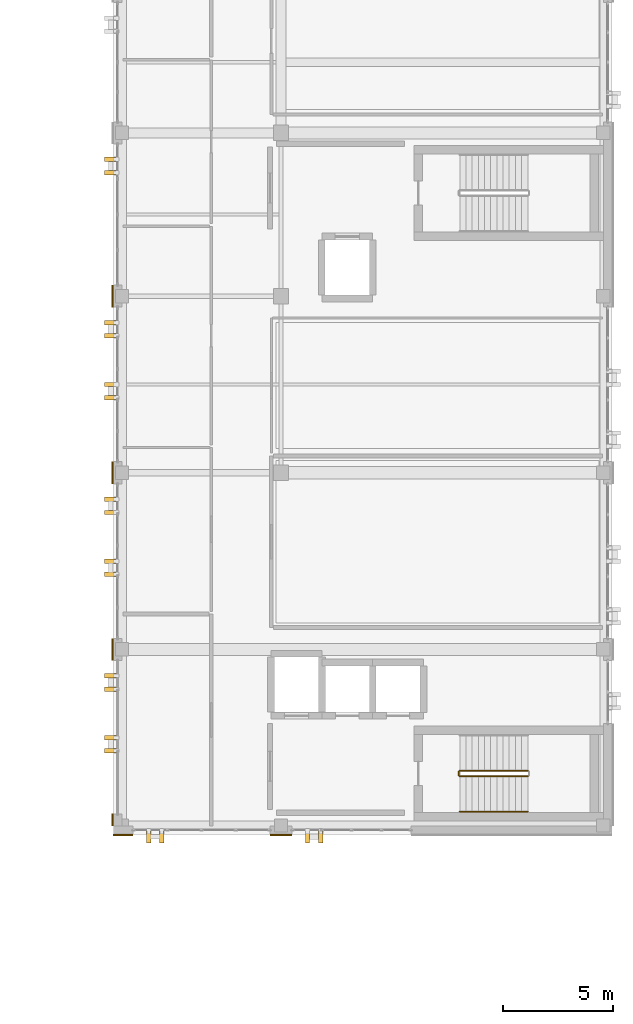
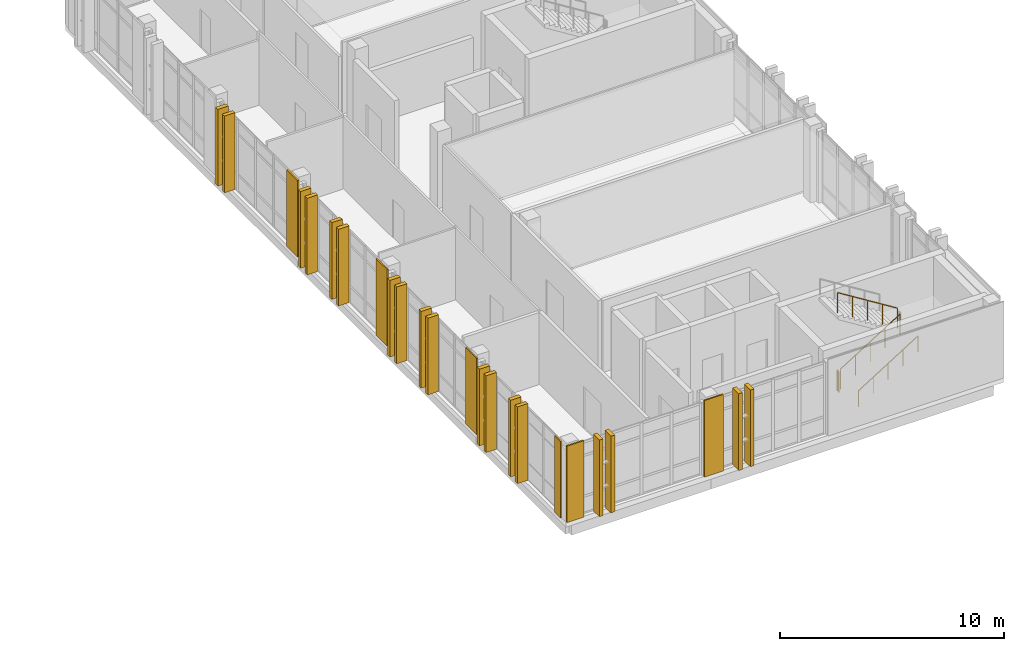
# One storey, part 80 of 90: 24 coverings, 4 railings.
"""IFC4 building model written with IfcOpenShell, lengths in metres."""

from ifc_helpers import new_model, si_unit, direction, frame, origin, origin_2d, place, context, subcontext, project, spatial, rectangle, circle, extrude, material, layer, layer_set, type_object, element, save


model = new_model("IFC4")

# Units and contexts
model_context = context("Model", 3, precision=1e-05, world=origin(), true_north=direction((0.0, 1.0)))
body_context = subcontext(model_context, "Body", "Model", "MODEL_VIEW")
ifc_project = project(units=[si_unit("LENGTHUNIT", "METRE"), si_unit("AREAUNIT", "SQUARE_METRE"), si_unit("VOLUMEUNIT", "CUBIC_METRE"), si_unit("PLANEANGLEUNIT", "RADIAN"), si_unit("MASSUNIT", "GRAM", prefix="KILO")], contexts=[model_context])

# Site, building, storey
site_placement = place(None, origin())
site = spatial("IfcSite", under=ifc_project, at=site_placement, CompositionType="ELEMENT")
building_placement = place(site_placement, origin())
building = spatial("IfcBuilding", under=site, at=building_placement, Name="Qalavern Law Courts", CompositionType="ELEMENT")
storey_placement = place(building_placement, frame((0.0, 0.0, 22.800048828125)))
storey = spatial("IfcBuildingStorey", under=building, at=storey_placement, Name="L05", CompositionType="ELEMENT", Elevation=22.800048828125)

# Coverings
ifc_material_1 = material(Name="Precast concrete C40/50", Category="concrete")
ifc_layer_1 = layer(ifc_material_1, 0.199951171875)
ifc_layer_set_1 = layer_set([ifc_layer_1], Name="Precast concrete C40/50")
covering_type_1 = type_object("IfcCoveringType", Name="ENV-BLD-1", PredefinedType="CLADDING", material=ifc_layer_set_1)
for number, where, z_axis, x_axis, name in (
    (1, (85.800048828125, 40.902587890625, 0.0048828125), (0.0, 0.0, 1.0), (0.0, -1.0, 0.0), "Absheron stone facade blade 0713"),
    (2, (86.39990234375, 40.902587890625, 0.0048828125), (0.0, 0.0, 1.0), (0.0, -1.0, 0.0), "Absheron stone facade blade 0714"),
    (3, (93.0, 40.902587890625, 0.0048828125), (0.0, 0.0, 1.0), (0.0, -1.0, 0.0), "Absheron stone facade blade 0715"),
    (4, (93.60009765625, 40.902587890625, 0.0048828125), (0.0, 0.0, 1.0), (0.0, -1.0, 0.0), "Absheron stone facade blade 0716"),
    (5, (84.08251953125, 71.60009765625, 0.0048828125), (0.0, 0.0, 1.0), (-1.0, 0.0, 0.0), "Absheron stone facade blade 0745"),
    (6, (84.08251953125, 71.0, 0.0048828125), (0.0, 0.0, 1.0), (-1.0, 0.0, 0.0), "Absheron stone facade blade 0746"),
    (7, (84.08251953125, 64.199951171875, 0.0048828125), (0.0, 0.0, 1.0), (-1.0, 0.0, 0.0), "Absheron stone facade blade 0747"),
    (8, (84.08251953125, 63.60009765625, 0.0048828125), (0.0, 0.0, 1.0), (-1.0, 0.0, 0.0), "Absheron stone facade blade 0748"),
    (9, (84.08251953125, 61.39990234375, 0.0048828125), (0.0, 0.0, 1.0), (-1.0, 0.0, 0.0), "Absheron stone facade blade 0749"),
    (10, (84.08251953125, 60.800048828125, 0.0048828125), (0.0, 0.0, 1.0), (-1.0, 0.0, 0.0), "Absheron stone facade blade 0750"),
    (11, (84.08251953125, 56.199951171875, 0.0048828125), (0.0, 0.0, 1.0), (-1.0, 0.0, 0.0), "Absheron stone facade blade 0751"),
    (12, (84.08251953125, 55.60009765625, 0.0048828125), (0.0, 0.0, 1.0), (-1.0, 0.0, 0.0), "Absheron stone facade blade 0752"),
    (13, (84.08251953125, 53.39990234375, 0.0048828125), (0.0, 0.0, 1.0), (-1.0, 0.0, 0.0), "Absheron stone facade blade 0753"),
    (14, (84.08251953125, 52.800048828125, 0.0048828125), (0.0, 0.0, 1.0), (-1.0, 0.0, 0.0), "Absheron stone facade blade 0754"),
    (15, (84.08251953125, 48.199951171875, 0.0048828125), (0.0, 0.0, 1.0), (-1.0, 0.0, 0.0), "Absheron stone facade blade 0755"),
    (16, (84.08251953125, 47.60009765625, 0.0048828125), (0.0, 0.0, 1.0), (-1.0, 0.0, 0.0), "Absheron stone facade blade 0756"),
    (17, (84.08251953125, 45.39990234375, 0.0048828125), (0.0, 0.0, 1.0), (-1.0, 0.0, 0.0), "Absheron stone facade blade 0757"),
    (18, (84.08251953125, 44.800048828125, 0.0048828125), (0.0, 0.0, 1.0), (-1.0, 0.0, 0.0), "Absheron stone facade blade 0758"),
):
    element("IfcCovering", number, at=place(storey_placement, frame(where, z_axis=z_axis, x_axis=x_axis)), inside=storey, type_object=covering_type_1, Name=name, PredefinedType="CLADDING", context=body_context, shape_type="SweptSolid", body=[
        extrude(rectangle(XDim=0.5400390625, YDim=0.199951171875, at=origin_2d()), origin(), (0.0, 0.0, 1.0), 4.18994140625),
    ])
ifc_layer_2 = layer(ifc_material_1, 0.072021484375)
ifc_layer_set_2 = layer_set([ifc_layer_2], Name="Precast concrete C40/50")
covering_type_2 = type_object("IfcCoveringType", Name="ENV-CLD-2", PredefinedType="CLADDING", material=ifc_layer_set_2)
covering_1_placement = place(storey_placement, frame((84.64990234375, 40.987060546875, 0.009765625), z_axis=(0.0, 0.0, 1.0), x_axis=(1.0, 0.0, 0.0)))
element("IfcCovering", 19, at=covering_1_placement, inside=storey, type_object=covering_type_2, Name="V4 Absheron limestone pier facing L05 south 1", PredefinedType="CLADDING", context=body_context, shape_type="SweptSolid", body=[
    extrude(rectangle(XDim=0.8798828125, YDim=0.072021484375, at=origin_2d()), origin(), (0.0, 0.0, 1.0), 4.179931640625),
])
for number, where, z_axis, x_axis, name in (
    (20, (91.800048828125, 40.987060546875, 0.009765625), (0.0, 0.0, 1.0), (1.0, 0.0, 0.0), "V4 Absheron limestone pier facing L05 south 2"),
    (21, (84.1669921875, 65.39990234375, 0.009765625), (0.0, 0.0, 1.0), (0.0, -1.0, 0.0), "V4 Absheron limestone pier facing L05 west 4"),
    (22, (84.1669921875, 57.39990234375, 0.009765625), (0.0, 0.0, 1.0), (0.0, -1.0, 0.0), "V4 Absheron limestone pier facing L05 west 5"),
    (23, (84.1669921875, 49.39990234375, 0.009765625), (0.0, 0.0, 1.0), (0.0, -1.0, 0.0), "V4 Absheron limestone pier facing L05 west 6"),
):
    element("IfcCovering", number, at=place(storey_placement, frame(where, z_axis=z_axis, x_axis=x_axis)), inside=storey, type_object=covering_type_2, Name=name, PredefinedType="CLADDING", context=body_context, shape_type="SweptSolid", body=[
        extrude(rectangle(XDim=0.97998046875, YDim=0.072021484375, at=origin_2d()), origin(), (0.0, 0.0, 1.0), 4.179931640625),
    ])
covering_2_placement = place(storey_placement, frame((84.1669921875, 41.675048828125, 0.009765625), z_axis=(0.0, 0.0, 1.0), x_axis=(0.0, -1.0, 0.0)))
element("IfcCovering", 24, at=covering_2_placement, inside=storey, type_object=covering_type_2, Name="V4 Absheron limestone pier facing L05 west 7", PredefinedType="CLADDING", context=body_context, shape_type="SweptSolid", body=[
    extrude(rectangle(XDim=0.530029296875, YDim=0.072021484375, at=origin_2d()), origin(), (0.0, 0.0, 1.0), 4.179931640625),
])

# Railings
ifc_material_2 = material(Name="Steel S355", Category="steel")
railing_type_1 = type_object("IfcRailingType", Name="INT-GUARD-1120", PredefinedType="BALUSTRADE", material=ifc_material_2)
railing_1_placement = place(storey_placement, frame((99.89990234375, 43.64990234375, 0.175048828125)))
element("IfcRailing", 25, at=railing_1_placement, inside=storey, type_object=railing_type_1, Name="L05 ST-K1A stair guard 1", PredefinedType="BALUSTRADE", context=body_context, shape_type="SweptSolid", body=[
    extrude(circle(Radius=0.02392578125, at=origin_2d()), frame((0.0, 0.0, 1.09619140625), z_axis=(0.848028513186, 0.0, 0.529950602248), x_axis=(0.0, 1.0, 0.0)), (0.0, 0.0, 1.0), 3.632080078125),
    extrude(circle(Radius=0.02099609375, at=origin_2d()), origin(), (0.0, 0.0, 1.0), 1.072021484375),
    extrude(circle(Radius=0.02099609375, at=origin_2d()), frame((0.77001953125, 0.0, 0.481201171875)), (0.0, 0.0, 1.0), 1.072021484375),
    extrude(circle(Radius=0.02099609375, at=origin_2d()), frame((1.5400390625, 0.0, 0.96240234375)), (0.0, 0.0, 1.0), 1.072021484375),
    extrude(circle(Radius=0.02099609375, at=origin_2d()), frame((2.31005859375, 0.0, 1.443603515625)), (0.0, 0.0, 1.0), 1.072021484375),
    extrude(circle(Radius=0.02099609375, at=origin_2d()), frame((3.080078125, 0.0, 1.9248046875)), (0.0, 0.0, 1.0), 1.072021484375),
])
railing_2_placement = place(storey_placement, frame((102.97998046875, 43.89990234375, 2.27490234375)))
element("IfcRailing", 26, at=railing_2_placement, inside=storey, type_object=railing_type_1, Name="L05 ST-K1A stair guard 3", PredefinedType="BALUSTRADE", context=body_context, shape_type="SweptSolid", body=[
    extrude(circle(Radius=0.02392578125, at=origin_2d()), frame((0.0, 0.0, 1.09619140625), z_axis=(-0.847998304005, 0.0, 0.529998940003), x_axis=(0.0, -1.0, 0.0)), (0.0, 0.0, 1.0), 3.632080078125),
    extrude(circle(Radius=0.02099609375, at=origin_2d()), origin(), (0.0, 0.0, 1.0), 1.072021484375),
    extrude(circle(Radius=0.02099609375, at=origin_2d()), frame((-0.77001953125, 0.0, 0.481201171875)), (0.0, 0.0, 1.0), 1.072021484375),
    extrude(circle(Radius=0.02099609375, at=origin_2d()), frame((-1.5400390625, 0.0, 0.96240234375)), (0.0, 0.0, 1.0), 1.072021484375),
    extrude(circle(Radius=0.02099609375, at=origin_2d()), frame((-2.31005859375, 0.0, 1.44384765625)), (0.0, 0.0, 1.0), 1.072021484375),
    extrude(circle(Radius=0.02099609375, at=origin_2d()), frame((-3.080078125, 0.0, 1.925048828125)), (0.0, 0.0, 1.0), 1.072021484375),
])
railing_3_placement = place(storey_placement, frame((99.85009765625, 43.699951171875, 0.0)))
element("IfcRailing", 27, at=railing_3_placement, inside=storey, type_object=railing_type_1, Name="L05 ST-K1A stair guard 4", PredefinedType="BALUSTRADE", context=body_context, shape_type="SweptSolid", body=[
    extrude(circle(Radius=0.02392578125, at=origin_2d()), frame((0.0, 0.0, 1.09619140625), z_axis=(0.0, 1.0, 0.0), x_axis=(-1.0, 0.0, 0.0)), (0.0, 0.0, 1.0), 0.150146484375),
    extrude(circle(Radius=0.02099609375, at=origin_2d()), origin(), (0.0, 0.0, 1.0), 1.072021484375),
    extrude(circle(Radius=0.02099609375, at=origin_2d()), frame((0.0, 0.150146484375, 0.0)), (0.0, 0.0, 1.0), 1.072021484375),
])
railing_type_2 = type_object("IfcRailingType", Name="INT-HRAIL-920", PredefinedType="HANDRAIL", material=ifc_material_2)
railing_4_placement = place(storey_placement, frame((99.89990234375, 42.050048828125, 0.175048828125)))
element("IfcRailing", 28, at=railing_4_placement, inside=storey, type_object=railing_type_2, Name="L05 ST-K1A stair handrail 1", PredefinedType="HANDRAIL", context=body_context, shape_type="SweptSolid", body=[
    extrude(circle(Radius=0.02392578125, at=origin_2d()), frame((0.0, 0.0, 0.8759765625), z_axis=(0.848028513186, 0.0, 0.529950602248), x_axis=(0.0, 1.0, 0.0)), (0.0, 0.0, 1.0), 3.632080078125),
    extrude(circle(Radius=0.02099609375, at=origin_2d()), origin(), (0.0, 0.0, 1.0), 0.851806640625),
    extrude(circle(Radius=0.02099609375, at=origin_2d()), frame((0.77001953125, 0.0, 0.481201171875)), (0.0, 0.0, 1.0), 0.851806640625),
    extrude(circle(Radius=0.02099609375, at=origin_2d()), frame((1.5400390625, 0.0, 0.96240234375)), (0.0, 0.0, 1.0), 0.851806640625),
    extrude(circle(Radius=0.02099609375, at=origin_2d()), frame((2.31005859375, 0.0, 1.443603515625)), (0.0, 0.0, 1.0), 0.851806640625),
    extrude(circle(Radius=0.02099609375, at=origin_2d()), frame((3.080078125, 0.0, 1.9248046875)), (0.0, 0.0, 1.0), 0.851806640625),
])

save(model, "model.ifc")
